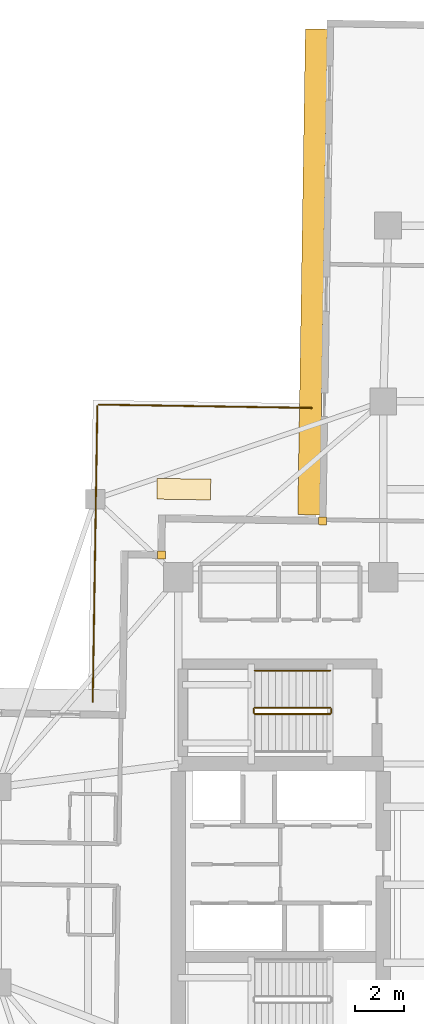
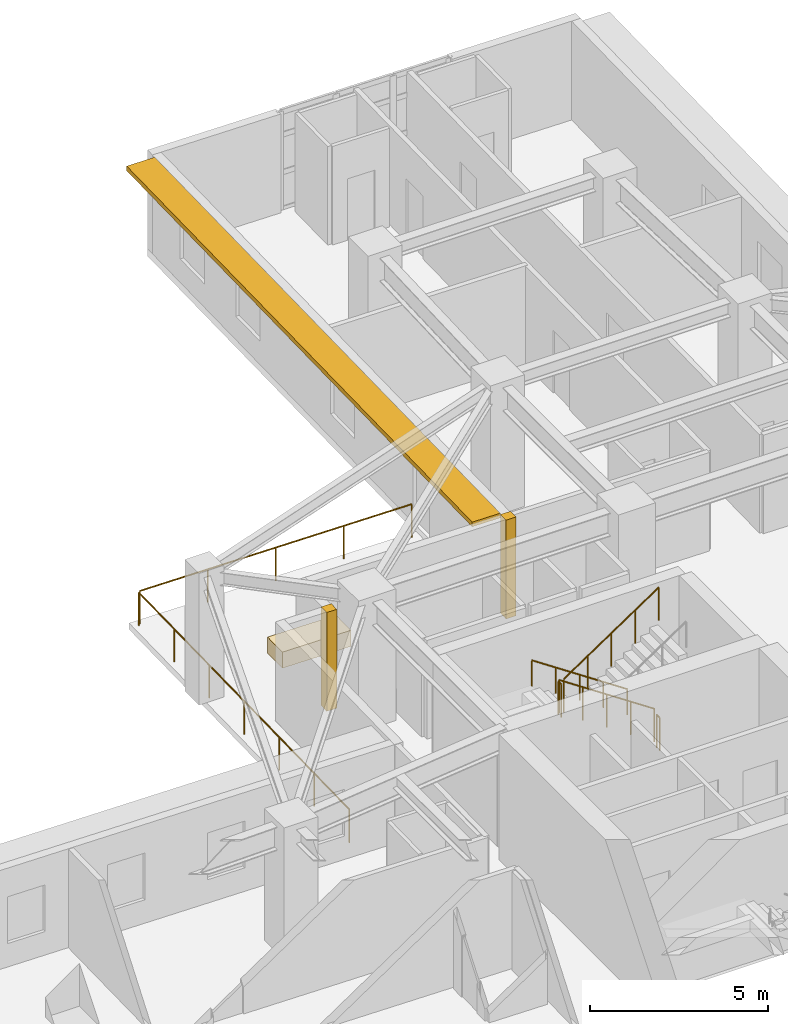
# One storey, part 21 of 22: 7 railings, 3 coverings, 1 shading device.
"""IFC4 building model written with IfcOpenShell, lengths in metres."""

from ifc_helpers import new_model, si_unit, direction, frame, origin, origin_2d, place, context, subcontext, project, spatial, rectangle, circle, extrude, material, layer, layer_set, type_object, element, save


model = new_model("IFC4")

# Units and contexts
model_context = context("Model", 3, precision=1e-05, world=origin(), true_north=direction((0.0, 1.0)))
body_context = subcontext(model_context, "Body", "Model", "MODEL_VIEW")
ifc_project = project(units=[si_unit("LENGTHUNIT", "METRE"), si_unit("AREAUNIT", "SQUARE_METRE"), si_unit("VOLUMEUNIT", "CUBIC_METRE"), si_unit("PLANEANGLEUNIT", "RADIAN"), si_unit("MASSUNIT", "GRAM", prefix="KILO")], contexts=[model_context])

# Site, building, storey
site_placement = place(None, origin())
site = spatial("IfcSite", under=ifc_project, at=site_placement, CompositionType="ELEMENT")
building_placement = place(site_placement, origin())
building = spatial("IfcBuilding", under=site, at=building_placement, Name="Qingluan Cross Belvedere", CompositionType="ELEMENT")
storey_placement = place(building_placement, frame((0.0, 0.0, 100.199951171875)))
storey = spatial("IfcBuildingStorey", under=building, at=storey_placement, Name="L25", CompositionType="ELEMENT", Elevation=100.199951171875)

# Coverings
ifc_material_1 = material(Name="Precast concrete C45", Category="concrete")
ifc_layer_1 = layer(ifc_material_1, 0.1201171875, Name="ConcreteSpandrelCladding_120")
ifc_layer_set_1 = layer_set([ifc_layer_1], Name="Precast concrete C45")
covering_type_1 = type_object("IfcCoveringType", Name="ConcreteSpandrelCladding_120", PredefinedType="CLADDING", material=ifc_layer_set_1)
for number, where, z_axis, x_axis, name in (
    (1, (-13.089599609375, 13.50732421875, 0.0), (0.0, 0.0, 1.0), (0.999876632482, -0.015707317312, 0.0), "Corner closure L25-NW1"),
    (2, (-6.48681640625, 14.90380859375, 0.0), (0.0, 0.0, 1.0), (0.999876632482, -0.015707317312, 0.0), "Corner closure L25-NW2"),
):
    element("IfcCovering", number, at=place(storey_placement, frame(where, z_axis=z_axis, x_axis=x_axis)), inside=storey, type_object=covering_type_1, Name=name, PredefinedType="CLADDING", context=body_context, shape_type="SweptSolid", body=[
        extrude(rectangle(XDim=0.320068359375, YDim=0.320068359375, at=origin_2d()), origin(), (0.0, 0.0, 1.0), 3.3798828125),
    ])

# Shading device
ifc_material_2 = material(Name="Precast concrete C45", Category="concrete")
ifc_layer_2 = layer(ifc_material_2, 0.159912109375, Name="ConcreteSunshadeBand_900")
ifc_layer_set_2 = layer_set([ifc_layer_2], Name="Precast concrete C45")
shading_device_type = type_object("IfcShadingDeviceType", Name="ConcreteSunshadeBand_900", PredefinedType="USERDEFINED", material=ifc_layer_set_2)
shading_device_placement = place(storey_placement, frame((-6.896484375, 25.101318359375, 3.2001953125), z_axis=(0.0, 0.0, 1.0), x_axis=(-0.015706483741, -0.999876645576, 0.0)))
element("IfcShadingDevice", 3, at=shading_device_placement, inside=storey, type_object=shading_device_type, Name="Concrete SUNSHADE L25-NB", ObjectType="SUNSHADE", PredefinedType="USERDEFINED", context=body_context, shape_type="SweptSolid", body=[
    extrude(rectangle(XDim=19.89990234375, YDim=0.89990234375, at=origin_2d()), origin(), (0.0, 0.0, 1.0), 0.159912109375),
])

# Railings
ifc_material_3 = material(Name="Brushed stainless steel tubular handrail", Category="steel")
railing_type_1 = type_object("IfcRailingType", Name="StairPitchHandrail_900", PredefinedType="HANDRAIL", material=ifc_material_3)
railing_1_placement = place(storey_placement, frame((-6.179931640625, 8.77001953125, 0.1875)))
element("IfcRailing", 4, at=railing_1_placement, inside=storey, type_object=railing_type_1, Name="L25 ST3 stair handrail 1", PredefinedType="HANDRAIL", context=body_context, shape_type="SweptSolid", body=[
    extrude(circle(Radius=0.02392578125, at=origin_2d()), frame((0.0, 0.0, 0.8759765625), z_axis=(-0.830913701846, 0.0, 0.55640131208), x_axis=(0.0, -1.0, 0.0)), (0.0, 0.0, 1.0), 3.706787109375),
    extrude(circle(Radius=0.02099609375, at=origin_2d()), origin(), (0.0, 0.0, 1.0), 0.851806640625),
    extrude(circle(Radius=0.02099609375, at=origin_2d()), frame((-0.77001953125, 0.0, 0.515625)), (0.0, 0.0, 1.0), 0.851806640625),
    extrude(circle(Radius=0.02099609375, at=origin_2d()), frame((-1.5400390625, 0.0, 1.03125)), (0.0, 0.0, 1.0), 0.851806640625),
    extrude(circle(Radius=0.02099609375, at=origin_2d()), frame((-2.31005859375, 0.0, 1.546875)), (0.0, 0.0, 1.0), 0.851806640625),
    extrude(circle(Radius=0.02099609375, at=origin_2d()), frame((-3.080078125, 0.0, 2.0625)), (0.0, 0.0, 1.0), 0.851806640625),
])
ifc_material_4 = material(Name="Painted steel stair well guard", Category="steel")
railing_type_2 = type_object("IfcRailingType", Name="StairWellGuard_1150", PredefinedType="BALUSTRADE", material=ifc_material_4)
railing_2_placement = place(storey_placement, frame((-6.179931640625, 7.25, 0.1875)))
element("IfcRailing", 5, at=railing_2_placement, inside=storey, type_object=railing_type_2, Name="L25 ST3 stair guard 1", PredefinedType="BALUSTRADE", context=body_context, shape_type="SweptSolid", body=[
    extrude(circle(Radius=0.02392578125, at=origin_2d()), frame((0.0, 0.0, 1.1259765625), z_axis=(-0.830913701846, 0.0, 0.55640131208), x_axis=(0.0, -1.0, 0.0)), (0.0, 0.0, 1.0), 3.706787109375),
    extrude(circle(Radius=0.02099609375, at=origin_2d()), origin(), (0.0, 0.0, 1.0), 1.101806640625),
    extrude(circle(Radius=0.02099609375, at=origin_2d()), frame((-0.77001953125, 0.0, 0.515625)), (0.0, 0.0, 1.0), 1.101806640625),
    extrude(circle(Radius=0.02099609375, at=origin_2d()), frame((-1.5400390625, 0.0, 1.03125)), (0.0, 0.0, 1.0), 1.101806640625),
    extrude(circle(Radius=0.02099609375, at=origin_2d()), frame((-2.31005859375, 0.0, 1.546875)), (0.0, 0.0, 1.0), 1.101806640625),
    extrude(circle(Radius=0.02099609375, at=origin_2d()), frame((-3.080078125, 0.0, 2.0625)), (0.0, 0.0, 1.0), 1.101806640625),
])
railing_3_placement = place(storey_placement, frame((-9.31005859375, 7.199951171875, 2.25)))
element("IfcRailing", 6, at=railing_3_placement, inside=storey, type_object=railing_type_2, Name="L25 ST3 stair guard 2", PredefinedType="BALUSTRADE", context=body_context, shape_type="SweptSolid", body=[
    extrude(circle(Radius=0.02392578125, at=origin_2d()), frame((0.0, 0.0, 1.1259765625), z_axis=(0.0, -1.0, 0.0), x_axis=(1.0, 0.0, 0.0)), (0.0, 0.0, 1.0), 0.159912109375),
    extrude(circle(Radius=0.02099609375, at=origin_2d()), origin(), (0.0, 0.0, 1.0), 1.101806640625),
    extrude(circle(Radius=0.02099609375, at=origin_2d()), frame((0.0, -0.159912109375, 0.0)), (0.0, 0.0, 1.0), 1.101806640625),
])
railing_4_placement = place(storey_placement, frame((-9.260009765625, 6.989990234375, 2.4375)))
element("IfcRailing", 7, at=railing_4_placement, inside=storey, type_object=railing_type_2, Name="L25 ST3 stair guard 3", PredefinedType="BALUSTRADE", context=body_context, shape_type="SweptSolid", body=[
    extrude(circle(Radius=0.02392578125, at=origin_2d()), frame((0.0, 0.0, 1.1259765625), z_axis=(0.830913701846, 0.0, 0.55640131208), x_axis=(0.0, 1.0, 0.0)), (0.0, 0.0, 1.0), 3.706787109375),
    extrude(circle(Radius=0.02099609375, at=origin_2d()), origin(), (0.0, 0.0, 1.0), 1.101806640625),
    extrude(circle(Radius=0.02099609375, at=origin_2d()), frame((0.77001953125, 0.0, 0.515625)), (0.0, 0.0, 1.0), 1.101806640625),
    extrude(circle(Radius=0.02099609375, at=origin_2d()), frame((1.5400390625, 0.0, 1.03125)), (0.0, 0.0, 1.0), 1.101806640625),
    extrude(circle(Radius=0.02099609375, at=origin_2d()), frame((2.31005859375, 0.0, 1.546875)), (0.0, 0.0, 1.0), 1.101806640625),
    extrude(circle(Radius=0.02099609375, at=origin_2d()), frame((3.080078125, 0.0, 2.0625)), (0.0, 0.0, 1.0), 1.101806640625),
])
railing_5_placement = place(storey_placement, frame((-6.1298828125, 7.199951171875, 0.0)))
element("IfcRailing", 8, at=railing_5_placement, inside=storey, type_object=railing_type_2, Name="L25 ST3 stair guard 4", PredefinedType="BALUSTRADE", context=body_context, shape_type="SweptSolid", body=[
    extrude(circle(Radius=0.02392578125, at=origin_2d()), frame((0.0, 0.0, 1.1259765625), z_axis=(0.0, -1.0, 0.0), x_axis=(1.0, 0.0, 0.0)), (0.0, 0.0, 1.0), 0.159912109375),
    extrude(circle(Radius=0.02099609375, at=origin_2d()), origin(), (0.0, 0.0, 1.0), 1.101806640625),
    extrude(circle(Radius=0.02099609375, at=origin_2d()), frame((0.0, -0.159912109375, 0.0)), (0.0, 0.0, 1.0), 1.101806640625),
])
ifc_material_5 = material(Name="Laminated glass and stainless steel balustrade", Category="steel")
railing_type_3 = type_object("IfcRailingType", Name="TerraceGuardBalustrade_1150", PredefinedType="BALUSTRADE", material=ifc_material_5)
railing_6_placement = place(storey_placement, frame((-15.904296875, 7.49072265625, 0.0)))
element("IfcRailing", 9, at=railing_6_placement, inside=storey, type_object=railing_type_3, Name="Terrace guard L25-1", PredefinedType="BALUSTRADE", context=body_context, shape_type="SweptSolid", body=[
    extrude(circle(Radius=0.02392578125, at=origin_2d()), frame((0.0, 0.0, 1.1259765625), z_axis=(0.015712144452, 0.999876556639, 0.0), x_axis=(-0.999876556639, 0.015712144452, 0.0)), (0.0, 0.0, 1.0), 12.119873046875),
    extrude(circle(Radius=0.02099609375, at=origin_2d()), origin(), (0.0, 0.0, 1.0), 1.101806640625),
    extrude(circle(Radius=0.02099609375, at=origin_2d()), frame((0.03173828125, 2.019775390625, 0.0)), (0.0, 0.0, 1.0), 1.101806640625),
    extrude(circle(Radius=0.02099609375, at=origin_2d()), frame((0.0634765625, 4.03955078125, 0.0)), (0.0, 0.0, 1.0), 1.101806640625),
    extrude(circle(Radius=0.02099609375, at=origin_2d()), frame((0.09521484375, 6.05908203125, 0.0)), (0.0, 0.0, 1.0), 1.101806640625),
    extrude(circle(Radius=0.02099609375, at=origin_2d()), frame((0.126953125, 8.078857421875, 0.0)), (0.0, 0.0, 1.0), 1.101806640625),
    extrude(circle(Radius=0.02099609375, at=origin_2d()), frame((0.15869140625, 10.0986328125, 0.0)), (0.0, 0.0, 1.0), 1.101806640625),
    extrude(circle(Radius=0.02099609375, at=origin_2d()), frame((0.1904296875, 12.118408203125, 0.0)), (0.0, 0.0, 1.0), 1.101806640625),
])
railing_7_placement = place(storey_placement, frame((-15.653076171875, 19.668212890625, 0.0)))
element("IfcRailing", 10, at=railing_7_placement, inside=storey, type_object=railing_type_3, Name="Terrace guard L25-2", PredefinedType="BALUSTRADE", context=body_context, shape_type="SweptSolid", body=[
    extrude(circle(Radius=0.02392578125, at=origin_2d()), frame((0.0, 0.0, 1.1259765625), z_axis=(0.999876643314, -0.015706627752, 0.0), x_axis=(0.015706627752, 0.999876643314, 0.0)), (0.0, 0.0, 1.0), 8.719970703125),
    extrude(circle(Radius=0.02099609375, at=origin_2d()), origin(), (0.0, 0.0, 1.0), 1.101806640625),
    extrude(circle(Radius=0.02099609375, at=origin_2d()), frame((2.1796875, -0.0341796875, 0.0)), (0.0, 0.0, 1.0), 1.101806640625),
    extrude(circle(Radius=0.02099609375, at=origin_2d()), frame((4.359375, -0.068359375, 0.0)), (0.0, 0.0, 1.0), 1.101806640625),
    extrude(circle(Radius=0.02099609375, at=origin_2d()), frame((6.539306640625, -0.102783203125, 0.0)), (0.0, 0.0, 1.0), 1.101806640625),
    extrude(circle(Radius=0.02099609375, at=origin_2d()), frame((8.718994140625, -0.136962890625, 0.0)), (0.0, 0.0, 1.0), 1.101806640625),
])

# Covering
ifc_material_6 = material(Name="Precast concrete C40", Category="concrete")
ifc_layer_3 = layer(ifc_material_6, 0.550048828125, Name="TerracePlanterBox")
ifc_layer_set_3 = layer_set([ifc_layer_3], Name="Precast concrete C40")
covering_type_2 = type_object("IfcCoveringType", Name="TerracePlanterBox", PredefinedType="USERDEFINED", material=ifc_layer_set_3)
covering_placement = place(storey_placement, frame((-12.172119140625, 16.202880859375, 0.0), z_axis=(0.0, 0.0, 1.0), x_axis=(0.999876632482, -0.015707317312, 0.0)))
element("IfcCovering", 11, at=covering_placement, inside=storey, type_object=covering_type_2, Name="Spiralling winter-garden planter L25", ObjectType="PLANTER", PredefinedType="USERDEFINED", context=body_context, shape_type="SweptSolid", body=[
    extrude(rectangle(XDim=2.199951171875, YDim=0.85009765625, at=origin_2d()), origin(), (0.0, 0.0, 1.0), 0.550048828125),
])

save(model, "model.ifc")
